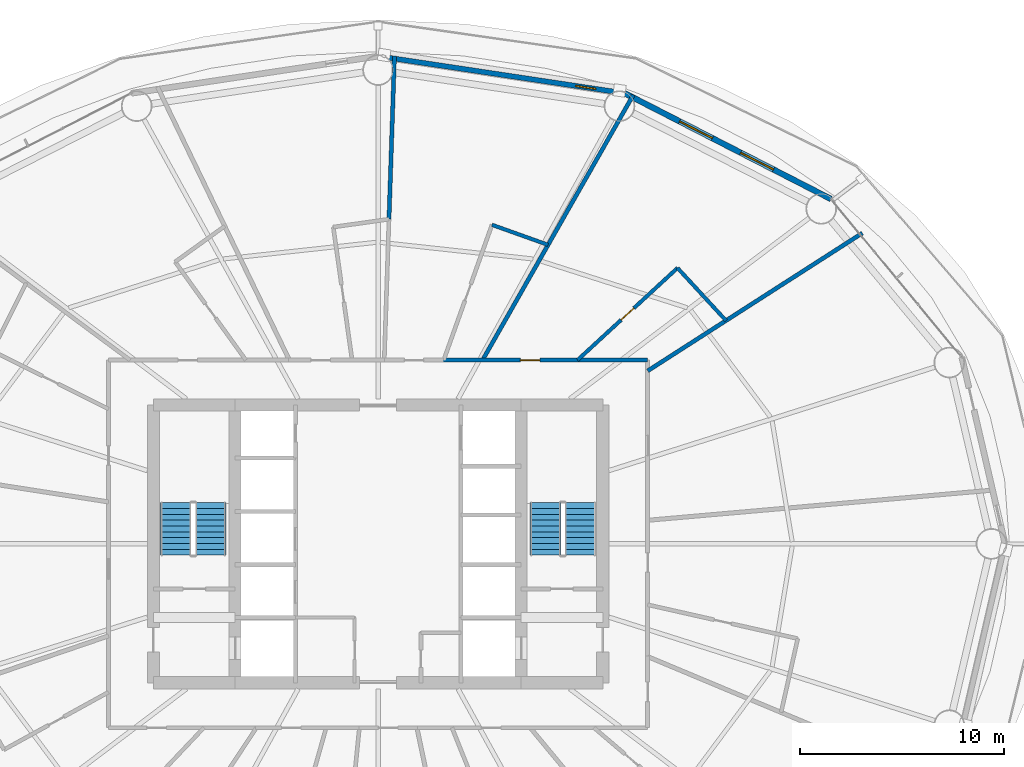
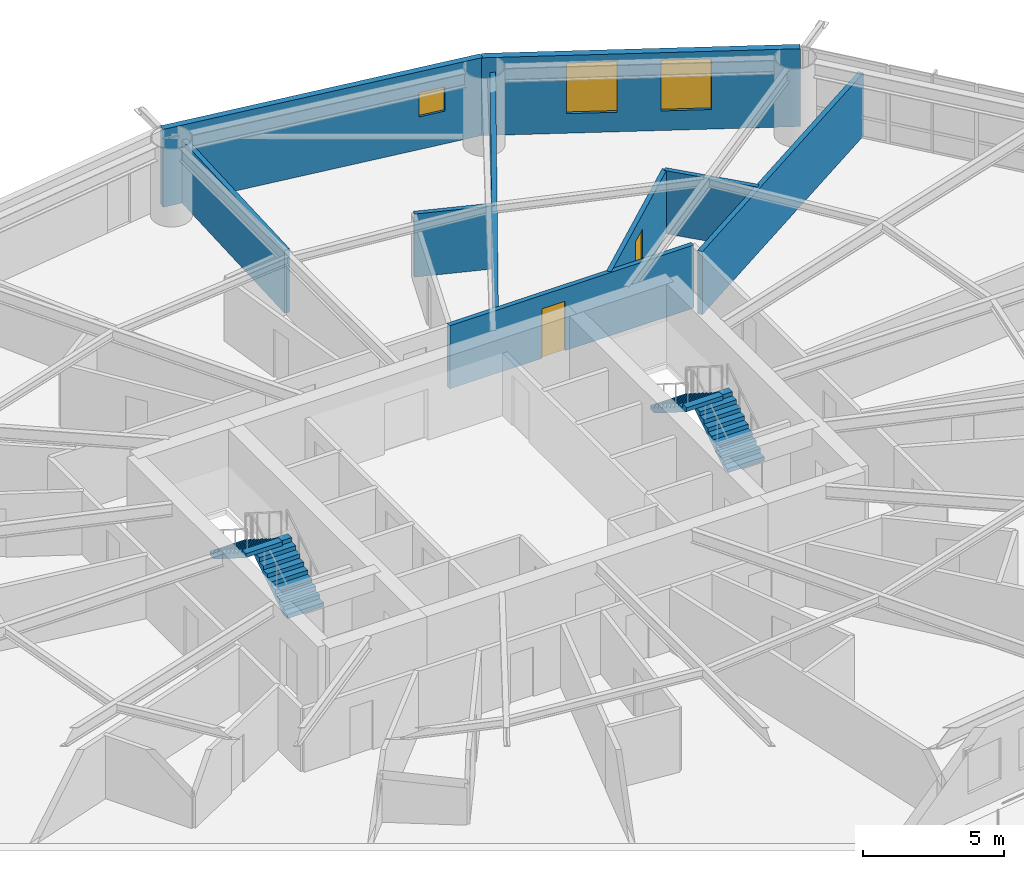
# One storey, part 25 of 28: 9 walls, 4 stair flights, 3 windows, 2 doors, 5 openings, 2 elements without a shape of their own.
"""IFC4 building model written with IfcOpenShell, lengths in metres."""

import ifcopenshell
import ifcopenshell.guid

model = None  # the IFC model being written
_history = None  # IfcOwnerHistory: only IFC2X3 demands one
_inside = {}  # id of a spatial element -> (the spatial element, [elements in it])
_under = {}  # id of a project, library or spatial element -> (it, [spatial elements below it])
_declared = {}  # id of a project -> (the project, [libraries it declares])
_typed = {}  # id of a type object -> (the type object, [elements of that type])
_made_of = {}  # id of a material, layer set ... -> (it, [elements and type objects made of it])


def new_model(schema):
    """Start an empty IFC model of exactly this schema.

    Asked for "IFC4X3", IfcOpenShell would pick the latest addendum, in which some entities
    have other attributes; the version numbers below select the first issue.
    IFC2X3 requires an IfcOwnerHistory on every rooted entity: one is made here for all.
    """
    global model, _history
    if schema == "IFC4X3":
        model = ifcopenshell.file(schema_version=(4, 3, 0, 0))
    else:
        model = ifcopenshell.file(schema=schema)
    _inside.clear()
    _under.clear()
    _declared.clear()
    _typed.clear()
    _made_of.clear()
    _history = None
    if model.schema == "IFC2X3":
        org = make("IfcOrganization", Name="unknown")
        user = make(
            "IfcPersonAndOrganization",
            ThePerson=make("IfcPerson", FamilyName="unknown"),
            TheOrganization=org,
        )
        app = make(
            "IfcApplication",
            ApplicationDeveloper=org,
            Version="unknown",
            ApplicationFullName="unknown",
            ApplicationIdentifier="unknown",
        )
        _history = make(
            "IfcOwnerHistory",
            OwningUser=user,
            OwningApplication=app,
            ChangeAction="ADDED",
            CreationDate=0,
        )
    return model


def make(cls, **values):
    """One entity of the class cls with the attributes given. An attribute that is None is left unset."""
    return model.create_entity(
        cls, **{name: value for name, value in values.items() if value is not None}
    )


def rooted(cls, **values):
    """An entity with a GlobalId (a new one), such as an element, a storey or a relation."""
    return make(cls, GlobalId=ifcopenshell.guid.new(), OwnerHistory=_history, **values)


def si_unit(unit_type, name, prefix=None):
    """IfcSIUnit, for example si_unit("LENGTHUNIT", "METRE", prefix="MILLI")."""
    return make("IfcSIUnit", UnitType=unit_type, Prefix=prefix, Name=name)


def assignment(units):
    """IfcUnitAssignment: the units of a project."""
    return None if units is None else make("IfcUnitAssignment", Units=units)


def point(xyz):
    """IfcCartesianPoint."""
    return None if xyz is None else make("IfcCartesianPoint", Coordinates=xyz)


def direction(xyz):
    """IfcDirection."""
    return None if xyz is None else make("IfcDirection", DirectionRatios=xyz)


def frame(location, z_axis=None, x_axis=None):
    """IfcAxis2Placement3D, a coordinate frame: its origin and axes. An axis left out is left unset."""
    return make(
        "IfcAxis2Placement3D",
        Location=point(location),
        Axis=direction(z_axis),
        RefDirection=direction(x_axis),
    )


def frame_2d(location, x_axis=None):
    """IfcAxis2Placement2D, a coordinate frame in the plane: its origin and x axis."""
    return make(
        "IfcAxis2Placement2D", Location=point(location), RefDirection=direction(x_axis)
    )


def origin():
    """The frame at (0, 0, 0) with its axes left unset."""
    return frame((0.0, 0.0, 0.0))


def place(relative_to, where):
    """IfcLocalPlacement: puts the frame where relative to a parent placement (None: the world)."""
    return make(
        "IfcLocalPlacement", PlacementRelTo=relative_to, RelativePlacement=where
    )


def context(
    kind, dimensions, precision=None, world=None, true_north=None, identifier=None
):
    """IfcGeometricRepresentationContext, for example the 3D "Model" context."""
    return make(
        "IfcGeometricRepresentationContext",
        ContextIdentifier=identifier,
        ContextType=kind,
        CoordinateSpaceDimension=dimensions,
        Precision=precision,
        WorldCoordinateSystem=world,
        TrueNorth=true_north,
    )


def subcontext(parent, identifier, kind, view, scale=None):
    """IfcGeometricRepresentationSubContext, for example "Body" below "Model"."""
    return make(
        "IfcGeometricRepresentationSubContext",
        ContextIdentifier=identifier,
        ContextType=kind,
        ParentContext=parent,
        TargetScale=scale,
        TargetView=view,
    )


def project(units=None, contexts=None):
    """IfcProject with its units and contexts."""
    return rooted(
        "IfcProject",
        Name="project",
        RepresentationContexts=contexts,
        UnitsInContext=assignment(units),
    )


def spatial(cls, under=None, at=None, **own):
    """A site, building, storey or space (cls), placed at a placement, below another one or the project."""
    s = rooted(cls, ObjectPlacement=at, **own)
    if under is not None:
        _under.setdefault(under.id(), (under, []))[1].append(s)
    return s


def polyline(points):
    """IfcPolyline through the points."""
    return make("IfcPolyline", Points=[point(p) for p in points])


def profile(cls, at=None, kind="AREA", **sizes):
    """A parametric profile (cls). Its sizes go by their IFC names, for example OverallWidth=200.0."""
    return make(cls, ProfileType=kind, Position=at, **sizes)


def rectangle(**sizes):
    """IfcRectangleProfileDef."""
    return profile("IfcRectangleProfileDef", **sizes)


def outline(outer, holes=None, kind="AREA"):
    """IfcArbitraryClosedProfileDef: a profile drawn as a closed curve; with holes, ...WithVoids."""
    if holes is None:
        return make("IfcArbitraryClosedProfileDef", ProfileType=kind, OuterCurve=outer)
    return make(
        "IfcArbitraryProfileDefWithVoids",
        ProfileType=kind,
        OuterCurve=outer,
        InnerCurves=holes,
    )


def extrude(swept, where, along, depth):
    """IfcExtrudedAreaSolid: the profile swept, set in the frame where, extruded along a direction by depth."""
    return make(
        "IfcExtrudedAreaSolid",
        SweptArea=swept,
        Position=where,
        ExtrudedDirection=direction(along),
        Depth=depth,
    )


def shape(context_of_items, identifier, shape_type, items):
    """IfcShapeRepresentation: the items that make up one representation, for example the "Body"."""
    return make(
        "IfcShapeRepresentation",
        ContextOfItems=context_of_items,
        RepresentationIdentifier=identifier,
        RepresentationType=shape_type,
        Items=items,
    )


def material(Name=None, Category=None):
    """IfcMaterial."""
    return make("IfcMaterial", Name=Name, Category=Category)


def layer(
    of_material, thickness, ventilated=None, Name=None, Category=None, Priority=None
):
    """IfcMaterialLayer: one layer of a wall or slab, of a material (None: an air gap)."""
    return make(
        "IfcMaterialLayer",
        Material=of_material,
        LayerThickness=thickness,
        IsVentilated=ventilated,
        Name=Name,
        Category=Category,
        Priority=Priority,
    )


def layer_set(layers, Name=None):
    """IfcMaterialLayerSet."""
    return make("IfcMaterialLayerSet", MaterialLayers=layers, LayerSetName=Name)


def made_of(thing, what):
    """Note that an element or type object is made of a material, layer set ...; save() writes the relation."""
    if what is not None:
        _made_of.setdefault(what.id(), (what, []))[1].append(thing)
    return thing


def type_object(cls, material=None, **own):
    """A type object (cls), such as IfcWallType, which elements share."""
    return made_of(rooted(cls, **own), material)


def element(
    cls,
    number,
    at=None,
    inside=None,
    cuts=None,
    type_object=None,
    material=None,
    context=None,
    identifier="Body",
    shape_type=None,
    held_by="IfcProductDefinitionShape",
    body=None,
    shapes=None,
    **own,
):
    """One element of the class cls, such as IfcWall. Its Tag is "e" and its number.

    at: its placement. inside: the storey or other place that contains it. cuts: it is an
    opening in that element (IfcRelVoidsElement). A single representation is given by context,
    identifier, shape_type and body (its items); several are given by shapes. held_by: the class
    of the entity that holds the representations. save() writes the other relations.
    """
    e = rooted(cls, Tag="e%d" % number, ObjectPlacement=at, **own)
    if body is not None:
        shapes = [shape(context, identifier, shape_type, body)]
    if shapes is not None:
        e.Representation = make(held_by, Representations=shapes)
    if inside is not None:
        _inside.setdefault(inside.id(), (inside, []))[1].append(e)
    if cuts is not None:
        rooted(
            "IfcRelVoidsElement", RelatingBuildingElement=cuts, RelatedOpeningElement=e
        )
    if type_object is not None:
        _typed.setdefault(type_object.id(), (type_object, []))[1].append(e)
    return made_of(e, material)


def fill(opening, filler):
    """IfcRelFillsElement: the door or window that sits in an opening."""
    return rooted(
        "IfcRelFillsElement",
        RelatingOpeningElement=opening,
        RelatedBuildingElement=filler,
    )


def aggregate(whole, parts):
    """IfcRelAggregates: a whole, such as a stair, and the parts it consists of."""
    return rooted("IfcRelAggregates", RelatingObject=whole, RelatedObjects=parts)


def save(model, path):
    """Write the relations noted so far, then the file.

    IfcRelAggregates (storeys below a building ...), IfcRelContainedInSpatialStructure (elements
    in a storey), IfcRelDefinesByType, IfcRelAssociatesMaterial and IfcRelDeclares: one each for
    every whole, place, type object, material and project.
    """
    for whole, parts in _under.values():
        aggregate(whole, parts)
    for where, things in _inside.values():
        rooted(
            "IfcRelContainedInSpatialStructure",
            RelatedElements=things,
            RelatingStructure=where,
        )
    for kind, things in _typed.values():
        rooted("IfcRelDefinesByType", RelatedObjects=things, RelatingType=kind)
    for what, things in _made_of.values():
        rooted("IfcRelAssociatesMaterial", RelatedObjects=things, RelatingMaterial=what)
    for by, libraries in _declared.values():
        rooted("IfcRelDeclares", RelatingContext=by, RelatedDefinitions=libraries)
    model.write(path)


model = new_model("IFC4")

# Units and contexts
model_context = context("Model", 3, precision=1e-05, world=origin(), true_north=direction((0.0, 1.0)))
body_context = subcontext(model_context, "Body", "Model", "MODEL_VIEW")
ifc_project = project(units=[si_unit("LENGTHUNIT", "METRE"), si_unit("AREAUNIT", "SQUARE_METRE"), si_unit("VOLUMEUNIT", "CUBIC_METRE"), si_unit("PLANEANGLEUNIT", "RADIAN"), si_unit("MASSUNIT", "GRAM", prefix="KILO")], contexts=[model_context])

# Site, building, storey
site_placement = place(None, origin())
site = spatial("IfcSite", under=ifc_project, at=site_placement, CompositionType="ELEMENT")
building_placement = place(site_placement, origin())
building = spatial("IfcBuilding", under=site, at=building_placement, Name="Sarneth Arch Tower", CompositionType="ELEMENT")
storey_placement = place(building_placement, frame((0.0, 0.0, 31.800048828125)))
storey = spatial("IfcBuildingStorey", under=building, at=storey_placement, Name="L06", CompositionType="ELEMENT", Elevation=31.800048828125)

# Wall, opening, door
ifc_material_1 = material(Name="Double steel-stud corridor fire wall", Category="steel")
ifc_layer_1 = layer(ifc_material_1, 0.18994140625)
ifc_layer_set_1 = layer_set([ifc_layer_1], Name="Double steel-stud corridor fire wall")
wall_type_1 = type_object("IfcWallType", Name="WALL-CORR-190", PredefinedType="PARTITIONING", material=ifc_layer_set_1)
wall_1_placement = place(storey_placement, frame((51.178955078125, 51.0, 0.0), z_axis=(0.0, 0.0, 1.0), x_axis=(1.0, 0.0, 0.0)))
wall_1 = element("IfcWall", 1, at=wall_1_placement, inside=storey, type_object=wall_type_1, Name="L06 Interior partition W-L06-TP-002", PredefinedType="PARTITIONING", context=body_context, shape_type="SweptSolid", body=[
    extrude(rectangle(XDim=10.02099609375, YDim=0.18994140625, at=frame_2d((5.010498046875, 0.0))), origin(), (0.0, 0.0, 1.0), 2.739990234375),
])
opening_1_placement = place(wall_1_placement, frame((3.79248046875, 0.0, 0.0)))
opening_1 = element("IfcOpeningElement", 2, at=opening_1_placement, cuts=wall_1, Name="Opening FD-09", PredefinedType="OPENING", context=body_context, shape_type="SweptSolid", body=[
    extrude(rectangle(XDim=0.949951171875, YDim=2.14990234375, at=frame_2d((0.47509765625, 1.074951171875))), frame((0.0, 0.10498046875, 0.0), z_axis=(0.0, -1.0, 0.0), x_axis=(1.0, 0.0, 0.0)), (0.0, 0.0, 1.0), 0.2099609375),
])
ifc_material_2 = material(Name="Hardwood timber hotel entrance fire door", Category="wood")
door_type_1 = type_object("IfcDoorType", Name="DR-FD60-950", OperationType="SINGLE_SWING_RIGHT", PredefinedType="DOOR", material=ifc_material_2)
door_1_placement = place(opening_1_placement, origin())
door_1 = element("IfcDoor", 3, at=door_1_placement, inside=storey, type_object=door_type_1, Name="L06 Interior door DR-L06-KEY-02", OperationType="SINGLE_SWING_RIGHT", OverallHeight=2.14990234375, OverallWidth=0.949951171875, PredefinedType="DOOR", context=body_context, shape_type="SweptSolid", body=[
    extrude(rectangle(XDim=0.949951171875, YDim=2.14990234375, at=frame_2d((0.47509765625, 1.074951171875))), frame((0.0, 0.02490234375, 0.0), z_axis=(0.0, -1.0, 0.0), x_axis=(1.0, 0.0, 0.0)), (0.0, 0.0, 1.0), 0.050048828125),
])
fill(opening_1, door_1)

# Wall, opening, window
ifc_material_3 = material(Name="Extruded terracotta rainscreen on Concrete C40/50 backing", Category="masonry")
ifc_layer_2 = layer(ifc_material_3, 0.25)
ifc_layer_set_2 = layer_set([ifc_layer_2], Name="Extruded terracotta rainscreen on Concrete C40/50 backing")
wall_type_2 = type_object("IfcWallType", Name="WALL-EXT-SPAND-250", PredefinedType="SOLIDWALL", material=ifc_layer_set_2)
wall_2_placement = place(storey_placement, frame((60.077880859375, 64.062255859375, 0.0), z_axis=(0.0, 0.0, 1.0), x_axis=(-0.988864835849, 0.148816452121, 0.0)))
wall_2 = element("IfcWall", 4, at=wall_2_placement, inside=storey, type_object=wall_type_2, Name="L06 Terracotta perimeter wall 04", PredefinedType="SOLIDWALL", context=body_context, shape_type="SweptSolid", body=[
    extrude(rectangle(XDim=12.2138671875, YDim=0.25, at=frame_2d((6.10693359375, 0.0))), origin(), (0.0, 0.0, 1.0), 3.3798828125),
])
opening_2_placement = place(wall_2_placement, frame((1.4404296875, 0.0, 1.419921875)))
opening_2 = element("IfcOpeningElement", 5, at=opening_2_placement, cuts=wall_2, Name="Opening W-14", PredefinedType="OPENING", context=body_context, shape_type="SweptSolid", body=[
    extrude(rectangle(XDim=1.0, YDim=1.050048828125, at=frame_2d((0.5, 0.52490234375))), frame((0.0, 0.135009765625, 0.0), z_axis=(0.0, -1.0, 0.0), x_axis=(1.0, 0.0, 0.0)), (0.0, 0.0, 1.0), 0.27001953125),
])
ifc_material_4 = material(Name="Thermally broken Aluminium 6063-T6 and low-e laminated IGU", Category="aluminium")
window_type_1 = type_object("IfcWindowType", Name="WIN-TWR-1000x1050", PartitioningType="SINGLE_PANEL", PredefinedType="WINDOW", material=ifc_material_4)
window_1_placement = place(opening_2_placement, origin())
window_1 = element("IfcWindow", 6, at=window_1_placement, inside=storey, type_object=window_type_1, Name="L06 Dwelling bedroom window 01", OverallHeight=1.050048828125, OverallWidth=1.0, PartitioningType="SINGLE_PANEL", PredefinedType="WINDOW", context=body_context, shape_type="SweptSolid", body=[
    extrude(rectangle(XDim=1.0, YDim=1.050048828125, at=frame_2d((0.5, 0.52490234375))), frame((0.0, 0.030029296875, 0.0), z_axis=(0.0, -1.0, 0.0), x_axis=(1.0, 0.0, 0.0)), (0.0, 0.0, 1.0), 0.06005859375),
])
fill(opening_2, window_1)

# Wall, openings, windows
ifc_material_5 = material(Name="Extruded terracotta rainscreen on Concrete C40/50 backing", Category="masonry")
ifc_layer_3 = layer(ifc_material_5, 0.280029296875)
ifc_layer_set_3 = layer_set([ifc_layer_3], Name="Extruded terracotta rainscreen on Concrete C40/50 backing")
wall_type_3 = type_object("IfcWallType", Name="WALL-EXT-TERRA-280", PredefinedType="SOLIDWALL", material=ifc_layer_set_3)
wall_3_placement = place(storey_placement, frame((70.174072265625, 58.8857421875, 0.0), z_axis=(0.0, 0.0, 1.0), x_axis=(-0.889853976658, 0.456245438581, 0.0)))
wall_3 = element("IfcWall", 7, at=wall_3_placement, inside=storey, type_object=wall_type_3, Name="L06 Terracotta perimeter wall 03", PredefinedType="SOLIDWALL", context=body_context, shape_type="SweptSolid", body=[
    extrude(rectangle(XDim=11.345947265625, YDim=0.280029296875, at=frame_2d((5.6728515625, 0.0))), origin(), (0.0, 0.0, 1.0), 3.3798828125),
])
opening_3_placement = place(wall_3_placement, frame((3.167236328125, 0.0, 0.85009765625)))
opening_3 = element("IfcOpeningElement", 8, at=opening_3_placement, cuts=wall_3, Name="Opening W-04", PredefinedType="OPENING", context=body_context, shape_type="SweptSolid", body=[
    extrude(rectangle(XDim=1.800048828125, YDim=2.199951171875, at=frame_2d((0.89990234375, 1.10009765625))), frame((0.0, 0.14990234375, 0.0), z_axis=(0.0, -1.0, 0.0), x_axis=(1.0, 0.0, 0.0)), (0.0, 0.0, 1.0), 0.300048828125),
])
opening_4_placement = place(wall_3_placement, frame((6.529052734375, 0.0, 0.85009765625)))
opening_4 = element("IfcOpeningElement", 9, at=opening_4_placement, cuts=wall_3, Name="Opening W-04", PredefinedType="OPENING", context=body_context, shape_type="SweptSolid", body=[
    extrude(rectangle(XDim=1.800048828125, YDim=2.199951171875, at=frame_2d((0.89990234375, 1.10009765625))), frame((0.0, 0.14990234375, 0.0), z_axis=(0.0, -1.0, 0.0), x_axis=(1.0, 0.0, 0.0)), (0.0, 0.0, 1.0), 0.300048828125),
])
ifc_material_6 = material(Name="Thermally broken Aluminium 6063-T6 and low-e laminated IGU", Category="aluminium")
window_type_2 = type_object("IfcWindowType", Name="WIN-TWR-1800x2200", PartitioningType="DOUBLE_PANEL_VERTICAL", PredefinedType="WINDOW", material=ifc_material_6)
window_2_placement = place(opening_3_placement, origin())
window_2 = element("IfcWindow", 10, at=window_2_placement, inside=storey, type_object=window_type_2, Name="L06 Exterior window 03A", OverallHeight=2.199951171875, OverallWidth=1.800048828125, PartitioningType="SINGLE_PANEL", PredefinedType="WINDOW", context=body_context, shape_type="SweptSolid", body=[
    extrude(rectangle(XDim=1.800048828125, YDim=2.199951171875, at=frame_2d((0.89990234375, 1.10009765625))), frame((0.0, 0.030029296875, 0.0), z_axis=(0.0, -1.0, 0.0), x_axis=(1.0, 0.0, 0.0)), (0.0, 0.0, 1.0), 0.06005859375),
])
fill(opening_3, window_2)
window_3_placement = place(opening_4_placement, origin())
window_3 = element("IfcWindow", 11, at=window_3_placement, inside=storey, type_object=window_type_2, Name="L06 Exterior window 03B", OverallHeight=2.199951171875, OverallWidth=1.800048828125, PartitioningType="SINGLE_PANEL", PredefinedType="WINDOW", context=body_context, shape_type="SweptSolid", body=[
    extrude(rectangle(XDim=1.800048828125, YDim=2.199951171875, at=frame_2d((0.89990234375, 1.10009765625))), frame((0.0, 0.030029296875, 0.0), z_axis=(0.0, -1.0, 0.0), x_axis=(1.0, 0.0, 0.0)), (0.0, 0.0, 1.0), 0.06005859375),
])
fill(opening_4, window_3)

# Wall, opening, door
ifc_material_7 = material(Name="Moisture-resistant plumbing chase wall", Category="gypsum")
ifc_layer_4 = layer(ifc_material_7, 0.179931640625)
ifc_layer_set_4 = layer_set([ifc_layer_4], Name="Moisture-resistant plumbing chase wall")
wall_type_4 = type_object("IfcWallType", Name="WALL-PLUMB-180", PredefinedType="PLUMBINGWALL", material=ifc_layer_set_4)
wall_4_placement = place(storey_placement, frame((62.660400390625, 55.510009765625, 0.0), z_axis=(0.0, 0.0, 1.0), x_axis=(-0.735369975398, -0.67766584633, 0.0)))
wall_4 = element("IfcWall", 12, at=wall_4_placement, inside=storey, type_object=wall_type_4, Name="L06 Interior partition W-L06-TP-033", PredefinedType="PLUMBINGWALL", context=body_context, shape_type="SweptSolid", body=[
    extrude(rectangle(XDim=6.6552734375, YDim=0.179931640625, at=frame_2d((3.32763671875, 0.0))), origin(), (0.0, 0.0, 1.0), 2.739990234375),
])
opening_5_placement = place(wall_4_placement, frame((2.902587890625, 0.0, 0.0)))
opening_5 = element("IfcOpeningElement", 13, at=opening_5_placement, cuts=wall_4, Name="Opening ID-02", PredefinedType="OPENING", context=body_context, shape_type="SweptSolid", body=[
    extrude(rectangle(XDim=0.85009765625, YDim=2.10009765625, at=frame_2d((0.425048828125, 1.050048828125))), frame((0.0, 0.099853515625, 0.0), z_axis=(0.0, -1.0, 0.0), x_axis=(1.0, 0.0, 0.0)), (0.0, 0.0, 1.0), 0.199951171875),
])
ifc_material_8 = material(Name="Moisture-resistant bathroom timber door", Category="wood")
door_type_2 = type_object("IfcDoorType", Name="DR-INT-850", OperationType="SINGLE_SWING_RIGHT", PredefinedType="DOOR", material=ifc_material_8)
door_2_placement = place(opening_5_placement, origin())
door_2 = element("IfcDoor", 14, at=door_2_placement, inside=storey, type_object=door_type_2, Name="L06 Interior door DR-L06-ENS-02", OperationType="SINGLE_SWING_RIGHT", OverallHeight=2.10009765625, OverallWidth=0.85009765625, PredefinedType="DOOR", context=body_context, shape_type="SweptSolid", body=[
    extrude(rectangle(XDim=0.85009765625, YDim=2.10009765625, at=frame_2d((0.425048828125, 1.050048828125))), frame((0.0, 0.02490234375, 0.0), z_axis=(0.0, -1.0, 0.0), x_axis=(1.0, 0.0, 0.0)), (0.0, 0.0, 1.0), 0.050048828125),
])
fill(opening_5, door_2)

# Walls
wall_5_placement = place(storey_placement, frame((65.03515625, 52.93310546875, 0.0), z_axis=(0.0, 0.0, 1.0), x_axis=(-0.677675106239, 0.735361442002, 0.0)))
element("IfcWall", 15, at=wall_5_placement, inside=storey, type_object=wall_type_4, Name="L06 Interior partition W-L06-TP-032", PredefinedType="PLUMBINGWALL", context=body_context, shape_type="SweptSolid", body=[
    extrude(rectangle(XDim=3.504150390625, YDim=0.179931640625, at=frame_2d((1.751953125, 0.0))), origin(), (0.0, 0.0, 1.0), 2.739990234375),
])
wall_6_placement = place(storey_placement, frame((56.322021484375, 56.640380859375, 0.0), z_axis=(0.0, 0.0, 1.0), x_axis=(-0.94177979862, 0.336230294457, 0.0)))
element("IfcWall", 16, at=wall_6_placement, inside=storey, type_object=wall_type_4, Name="L06 Interior partition W-L06-TP-036", PredefinedType="PLUMBINGWALL", context=body_context, shape_type="SweptSolid", body=[
    extrude(rectangle(XDim=2.915283203125, YDim=0.179931640625, at=frame_2d((1.45751953125, 0.0))), origin(), (0.0, 0.0, 1.0), 2.739990234375),
])
ifc_material_9 = material(Name="Double steel-stud acoustic drywall", Category="steel")
ifc_layer_5 = layer(ifc_material_9, 0.199951171875)
ifc_layer_set_5 = layer_set([ifc_layer_5], Name="Double steel-stud acoustic drywall")
wall_type_5 = type_object("IfcWallType", Name="WALL-UNIT-200", PredefinedType="PARTITIONING", material=ifc_layer_set_5)
wall_7_placement = place(storey_placement, frame((53.115966796875, 51.0, 0.0), z_axis=(0.0, 0.0, 1.0), x_axis=(0.494167535405, 0.869366693031, 0.0)))
element("IfcWall", 17, at=wall_7_placement, inside=storey, type_object=wall_type_5, Name="L06 Interior partition W-L06-TP-034", PredefinedType="PARTITIONING", context=body_context, shape_type="SweptSolid", body=[
    extrude(rectangle(XDim=14.93359375, YDim=0.199951171875, at=frame_2d((7.466796875, 0.0))), origin(), (0.0, 0.0, 1.0), 2.739990234375),
])
wall_8_placement = place(storey_placement, frame((48.8017578125, 65.8798828125, 0.0), z_axis=(0.0, 0.0, 1.0), x_axis=(-0.033562144005, -0.999436632553, 0.0)))
element("IfcWall", 18, at=wall_8_placement, inside=storey, type_object=wall_type_5, Name="L06 Interior partition W-L06-TP-038", PredefinedType="PARTITIONING", context=body_context, shape_type="SweptSolid", body=[
    extrude(rectangle(XDim=7.987060546875, YDim=0.199951171875, at=frame_2d((3.99365234375, 0.0))), origin(), (0.0, 0.0, 1.0), 2.739990234375),
])
wall_9_placement = place(storey_placement, frame((61.199951171875, 50.4716796875, 0.0), z_axis=(0.0, 0.0, 1.0), x_axis=(0.841576538847, 0.540137879863, 0.0)))
element("IfcWall", 19, at=wall_9_placement, inside=storey, type_object=wall_type_5, Name="L06 Interior partition W-L06-TP-029", PredefinedType="PARTITIONING", context=body_context, shape_type="SweptSolid", body=[
    extrude(rectangle(XDim=12.4873046875, YDim=0.199951171875, at=frame_2d((6.24365234375, 0.0))), origin(), (0.0, 0.0, 1.0), 2.739990234375),
])

# Stair, stair flights
ifc_material_10 = material(Name="Concrete C50/60", Category="concrete")
stair_type = type_object("IfcStairType", Name="STAIR-CORE-RC", PredefinedType="HALF_TURN_STAIR", material=ifc_material_10)
stair_1_placement = place(storey_placement, origin())
stair_1 = element("IfcStair", 20, at=stair_1_placement, inside=storey, type_object=stair_type, Name="L06 Core Exit Stair 1", PredefinedType="HALF_TURN_STAIR")
ifc_material_11 = material(Name="Concrete C50/60", Category="concrete")
stair_flight_type = type_object("IfcStairFlightType", Name="FLIGHT-RC-1500", PredefinedType="STRAIGHT", material=ifc_material_11)
stair_flight_1_placement = place(storey_placement, frame((39.800048828125, 41.449951171875, 0.0), z_axis=(0.0, 0.0, 1.0), x_axis=(0.0, 1.0, 0.0)))
stair_flight_1 = element("IfcStairFlight", 21, at=stair_flight_1_placement, type_object=stair_flight_type, Name="ST-1 flight 1", NumberOfRisers=10, NumberOfTreads=9, PredefinedType="STRAIGHT", RiserHeight=0.18, TreadLength=0.285, context=body_context, shape_type="SweptSolid", body=[
    extrude(outline(polyline([(0.0, 0.0), (0.0, 0.179931640625), (0.284912109375, 0.179931640625), (0.284912109375, 0.360107421875), (0.570068359375, 0.360107421875), (0.570068359375, 0.5400390625), (0.85498046875, 0.5400390625), (0.85498046875, 0.719970703125), (1.139892578125, 0.719970703125), (1.139892578125, 0.89990234375), (1.425048828125, 0.89990234375), (1.425048828125, 1.080078125), (1.7099609375, 1.080078125), (1.7099609375, 1.260009765625), (1.9951171875, 1.260009765625), (1.9951171875, 1.43994140625), (2.280029296875, 1.43994140625), (2.280029296875, 1.6201171875), (2.56494140625, 1.6201171875), (2.56494140625, 1.800048828125), (2.56494140625, 1.442626953125), (0.28076171875, 0.0), (0.0, 0.0)])), frame((0.0, 0.75, 0.0), z_axis=(0.0, -1.0, 0.0), x_axis=(1.0, 0.0, 0.0)), (0.0, 0.0, 1.0), 1.5),
])
stair_flight_2_placement = place(storey_placement, frame((38.10009765625, 44.014892578125, 1.800048828125), z_axis=(0.0, 0.0, 1.0), x_axis=(0.0, -1.0, 0.0)))
stair_flight_2 = element("IfcStairFlight", 22, at=stair_flight_2_placement, type_object=stair_flight_type, Name="ST-1 flight 2", NumberOfRisers=10, NumberOfTreads=9, PredefinedType="STRAIGHT", RiserHeight=0.18, TreadLength=0.285, context=body_context, shape_type="SweptSolid", body=[
    extrude(outline(polyline([(0.0, 0.0), (0.0, 0.179931640625), (0.284912109375, 0.179931640625), (0.284912109375, 0.360107421875), (0.570068359375, 0.360107421875), (0.570068359375, 0.5400390625), (0.85498046875, 0.5400390625), (0.85498046875, 0.719970703125), (1.139892578125, 0.719970703125), (1.139892578125, 0.89990234375), (1.425048828125, 0.89990234375), (1.425048828125, 1.080078125), (1.7099609375, 1.080078125), (1.7099609375, 1.260009765625), (1.9951171875, 1.260009765625), (1.9951171875, 1.43994140625), (2.280029296875, 1.43994140625), (2.280029296875, 1.6201171875), (2.56494140625, 1.6201171875), (2.56494140625, 1.800048828125), (2.56494140625, 1.442626953125), (0.28076171875, 0.0), (0.0, 0.0)])), frame((0.0, 0.75, 0.0), z_axis=(0.0, -1.0, 0.0), x_axis=(1.0, 0.0, 0.0)), (0.0, 0.0, 1.0), 1.5),
])
aggregate(stair_1, [stair_flight_1, stair_flight_2])

stair_2_placement = place(storey_placement, origin())
stair_2 = element("IfcStair", 23, at=stair_2_placement, inside=storey, type_object=stair_type, Name="L06 Core Exit Stair 2", PredefinedType="HALF_TURN_STAIR")
stair_flight_3_placement = place(storey_placement, frame((57.89990234375, 41.449951171875, 0.0), z_axis=(0.0, 0.0, 1.0), x_axis=(0.0, 1.0, 0.0)))
stair_flight_3 = element("IfcStairFlight", 24, at=stair_flight_3_placement, type_object=stair_flight_type, Name="ST-2 flight 1", NumberOfRisers=10, NumberOfTreads=9, PredefinedType="STRAIGHT", RiserHeight=0.18, TreadLength=0.285, context=body_context, shape_type="SweptSolid", body=[
    extrude(outline(polyline([(0.0, 0.0), (0.0, 0.179931640625), (0.284912109375, 0.179931640625), (0.284912109375, 0.360107421875), (0.570068359375, 0.360107421875), (0.570068359375, 0.5400390625), (0.85498046875, 0.5400390625), (0.85498046875, 0.719970703125), (1.139892578125, 0.719970703125), (1.139892578125, 0.89990234375), (1.425048828125, 0.89990234375), (1.425048828125, 1.080078125), (1.7099609375, 1.080078125), (1.7099609375, 1.260009765625), (1.9951171875, 1.260009765625), (1.9951171875, 1.43994140625), (2.280029296875, 1.43994140625), (2.280029296875, 1.6201171875), (2.56494140625, 1.6201171875), (2.56494140625, 1.800048828125), (2.56494140625, 1.442626953125), (0.28076171875, 0.0), (0.0, 0.0)])), frame((0.0, 0.75, 0.0), z_axis=(0.0, -1.0, 0.0), x_axis=(1.0, 0.0, 0.0)), (0.0, 0.0, 1.0), 1.5),
])
stair_flight_4_placement = place(storey_placement, frame((56.199951171875, 44.014892578125, 1.800048828125), z_axis=(0.0, 0.0, 1.0), x_axis=(0.0, -1.0, 0.0)))
stair_flight_4 = element("IfcStairFlight", 25, at=stair_flight_4_placement, type_object=stair_flight_type, Name="ST-2 flight 2", NumberOfRisers=10, NumberOfTreads=9, PredefinedType="STRAIGHT", RiserHeight=0.18, TreadLength=0.285, context=body_context, shape_type="SweptSolid", body=[
    extrude(outline(polyline([(0.0, 0.0), (0.0, 0.179931640625), (0.284912109375, 0.179931640625), (0.284912109375, 0.360107421875), (0.570068359375, 0.360107421875), (0.570068359375, 0.5400390625), (0.85498046875, 0.5400390625), (0.85498046875, 0.719970703125), (1.139892578125, 0.719970703125), (1.139892578125, 0.89990234375), (1.425048828125, 0.89990234375), (1.425048828125, 1.080078125), (1.7099609375, 1.080078125), (1.7099609375, 1.260009765625), (1.9951171875, 1.260009765625), (1.9951171875, 1.43994140625), (2.280029296875, 1.43994140625), (2.280029296875, 1.6201171875), (2.56494140625, 1.6201171875), (2.56494140625, 1.800048828125), (2.56494140625, 1.442626953125), (0.28076171875, 0.0), (0.0, 0.0)])), frame((0.0, 0.75, 0.0), z_axis=(0.0, -1.0, 0.0), x_axis=(1.0, 0.0, 0.0)), (0.0, 0.0, 1.0), 1.5),
])
aggregate(stair_2, [stair_flight_3, stair_flight_4])

save(model, "model.ifc")
